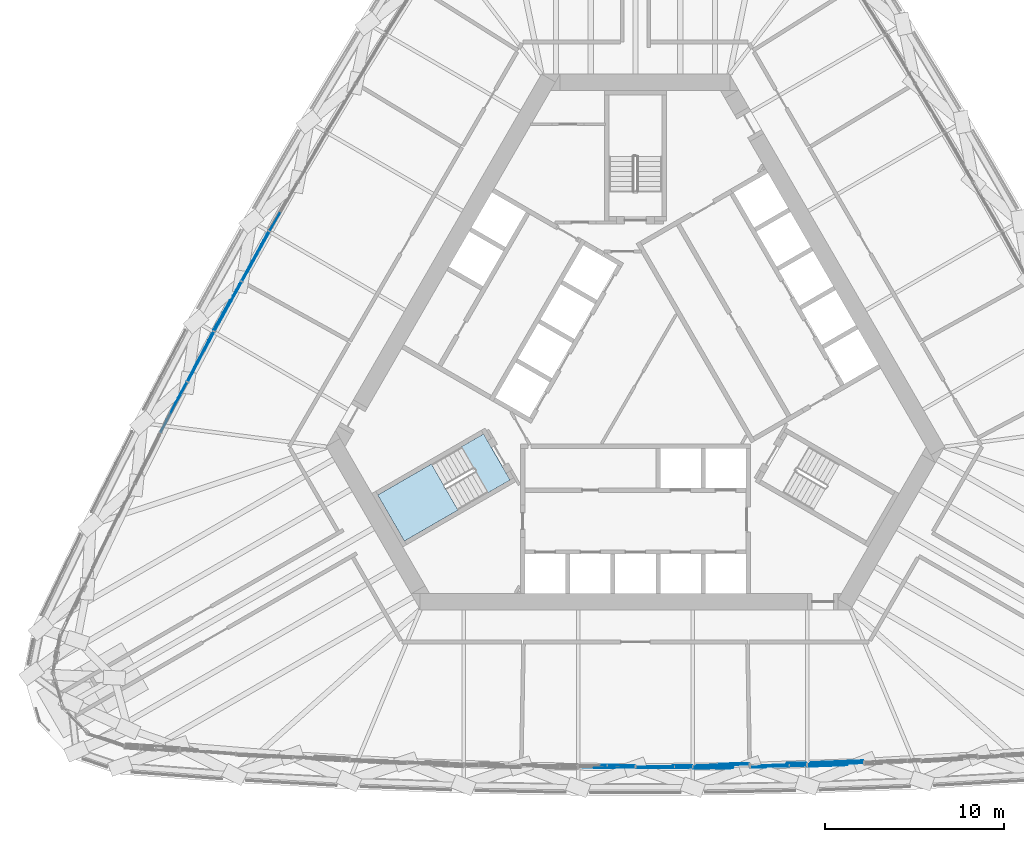
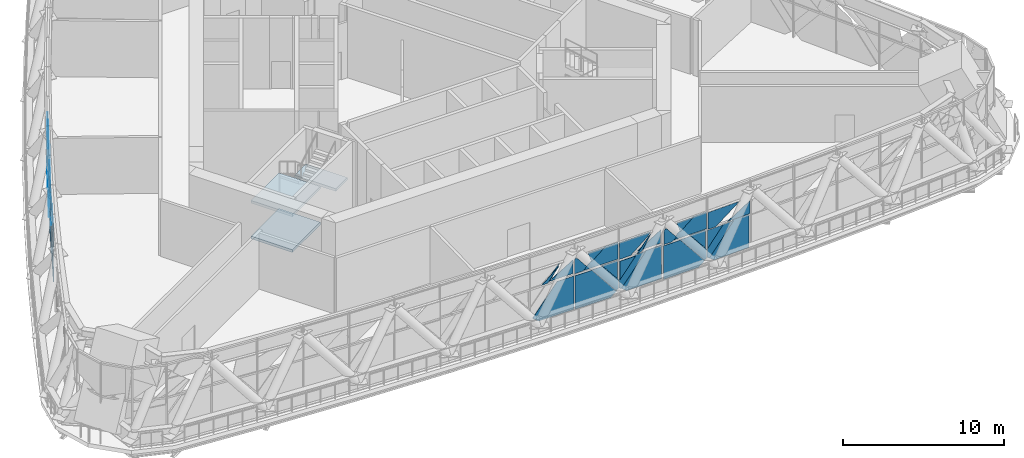
# One storey, part 14 of 43: 47 plates, 3 slabs, 3 elements without a shape of their own.
"""IFC4 building model written with IfcOpenShell, lengths in metres."""

from ifc_helpers import new_model, si_unit, direction, frame, origin, place, context, subcontext, project, spatial, polyline, outline, extrude, material, layer, layer_set, type_object, element, aggregate, save


model = new_model("IFC4")

# Units and contexts
model_context = context("Model", 3, precision=1e-05, world=origin(), true_north=direction((0.0, 1.0)))
body_context = subcontext(model_context, "Body", "Model", "MODEL_VIEW")
ifc_project = project(units=[si_unit("LENGTHUNIT", "METRE"), si_unit("AREAUNIT", "SQUARE_METRE"), si_unit("VOLUMEUNIT", "CUBIC_METRE"), si_unit("PLANEANGLEUNIT", "RADIAN"), si_unit("MASSUNIT", "GRAM", prefix="KILO")], contexts=[model_context])

# Site, building, storey
site_placement = place(None, origin())
site = spatial("IfcSite", under=ifc_project, at=site_placement, CompositionType="ELEMENT")
building_placement = place(site_placement, origin())
building = spatial("IfcBuilding", under=site, at=building_placement, Name="Mestral Congress Tower", CompositionType="ELEMENT")
storey_placement = place(building_placement, frame((0.0, 0.0, 78.300048828125)))
storey = spatial("IfcBuildingStorey", under=building, at=storey_placement, Name="L18", CompositionType="ELEMENT", Elevation=78.300048828125)

# Stair, slabs
ifc_material_1 = material(Name="Concrete C60/75", Category="concrete")
stair_type = type_object("IfcStairType", Name="Exit stair 1400", PredefinedType="HALF_TURN_STAIR", material=ifc_material_1)
placement = place(storey_placement, origin())
stair = element("IfcStair", 1, at=placement, inside=storey, type_object=stair_type, Name="L18 ST3", PredefinedType="HALF_TURN_STAIR")
ifc_layer_1 = layer(ifc_material_1, 0.199951171875)
ifc_layer_set_1 = layer_set([ifc_layer_1], Name="Concrete C60/75")
slab_type = type_object("IfcSlabType", Name="Exit stair landing 200", PredefinedType="LANDING", material=ifc_layer_set_1)
slab_1_placement = place(storey_placement, frame((0.0, 0.0, 1.14990234375)))
slab_1 = element("IfcSlab", 2, at=slab_1_placement, type_object=slab_type, Name="ST3 landing 1", PredefinedType="LANDING", context=body_context, shape_type="SweptSolid", body=[
    extrude(outline(polyline([(-11.39453125, -4.864013671875), (-9.90966796875, -7.43603515625), (-12.906005859375, -9.166015625), (-14.39111328125, -6.593994140625), (-11.39453125, -4.864013671875)])), origin(), (0.0, 0.0, 1.0), 0.199951171875),
])
slab_2_placement = place(storey_placement, frame((0.0, 0.0, 2.5)))
slab_2 = element("IfcSlab", 3, at=slab_2_placement, type_object=slab_type, Name="ST3 landing 2", PredefinedType="LANDING", context=body_context, shape_type="SweptSolid", body=[
    extrude(outline(polyline([(-8.48486328125, -3.18408203125), (-6.999755859375, -5.756103515625), (-8.2294921875, -6.466064453125), (-9.714599609375, -3.89404296875), (-8.48486328125, -3.18408203125)])), origin(), (0.0, 0.0, 1.0), 0.199951171875),
])
slab_3_placement = place(storey_placement, frame((0.0, 0.0, 3.849853515625)))
slab_3 = element("IfcSlab", 4, at=slab_3_placement, type_object=slab_type, Name="ST3 landing 3", PredefinedType="LANDING", context=body_context, shape_type="SweptSolid", body=[
    extrude(outline(polyline([(-11.39453125, -4.864013671875), (-9.90966796875, -7.43603515625), (-12.906005859375, -9.166015625), (-14.39111328125, -6.593994140625), (-11.39453125, -4.864013671875)])), origin(), (0.0, 0.0, 1.0), 0.2001953125),
])
aggregate(stair, [slab_1, slab_2, slab_3])

# Curtain wall, plates
ifc_material_2 = material(Name="Clear low-emissivity double glazing", Category="glass")
curtain_wall_type = type_object("IfcCurtainWallType", Name="Facade refuge band screen", PredefinedType="USERDEFINED", material=ifc_material_2)
curtain_wall_1 = element("IfcCurtainWall", 5, at=placement, inside=storey, type_object=curtain_wall_type, Name="Facade refuge band screen face 1", ObjectType="CURTAIN WALL", PredefinedType="USERDEFINED")
ifc_material_3 = material(Name="Anodised aluminium", Category="aluminium")
ifc_layer_2 = layer(ifc_material_3, 0.028076171875)
ifc_layer_set_2 = layer_set([ifc_layer_2], Name="Anodised aluminium")
plate_type_1 = type_object("IfcPlateType", Name="Facade refuge band screen brace cover panel", PredefinedType="CURTAIN_PANEL", material=ifc_layer_set_2)
plate_1_placement = place(storey_placement, frame((-0.030029296875, -21.715087890625, 2.659912109375), z_axis=(0.0, -0.999997752508, 0.002120136578), x_axis=(-1.0, 0.0, 0.0)))
plate_1 = element("IfcPlate", 6, at=plate_1_placement, type_object=plate_type_1, Name="Facade refuge band screen brace cover panel", PredefinedType="CURTAIN_PANEL", context=body_context, shape_type="SweptSolid", body=[
    extrude(outline(polyline([(0.0, 0.0), (1.73828125, 0.0), (0.0, -1.0363792823792286), (0.0, 0.0)])), origin(), (0.0, 0.0, -1.0), 0.028076171875),
])
plate_2_placement = place(storey_placement, frame((-2.364501953125, -21.84521484375, 2.659912109375), z_axis=(0.0, -0.999997590729, 0.002195116663), x_axis=(0.777322734817, 0.001380952352, 0.629100515742)))
plate_2 = element("IfcPlate", 7, at=plate_2_placement, type_object=plate_type_1, Name="Facade refuge band screen brace cover panel", PredefinedType="CURTAIN_PANEL", context=body_context, shape_type="SweptSolid", body=[
    extrude(outline(polyline([(0.0, 0.0), (1.591123417406616, 0.0), (0.33172854991705225, -0.26847420676801514), (0.0, 0.0)])), origin(), (0.0, 0.0, -1.0), 0.028076171875),
])
plate_3_placement = place(storey_placement, frame((-1.937744140625, -21.68310546875, 2.659912109375), z_axis=(-7.268202e-06, -0.999998129844, 0.001933973807), x_axis=(0.629077506876, 0.001498787939, 0.777341137454)))
plate_3 = element("IfcPlate", 8, at=plate_3_placement, type_object=plate_type_1, Name="Facade refuge band screen brace cover panel", PredefinedType="CURTAIN_PANEL", context=body_context, shape_type="SweptSolid", body=[
    extrude(outline(polyline([(0.0, 0.0), (1.287692827557895, 1.1102230246251565e-16), (1.5196045588721698, -0.04944501859453743), (0.3037785663471249, -0.20422559601899806), (0.10658686273723032, -0.13170794729764154), (0.0, 0.0)])), origin(), (0.0, 0.0, -1.0), 0.028076171875),
])
plate_4_placement = place(storey_placement, frame((3.1591796875, -21.8154296875, 0.481689453125), z_axis=(-8.2968574e-05, -0.999998061375, 0.001967323814), x_axis=(-0.776962828845, -0.001174058394, -0.629545378968)))
plate_4 = element("IfcPlate", 9, at=plate_4_placement, type_object=plate_type_1, Name="Facade refuge band screen brace cover panel", PredefinedType="CURTAIN_PANEL", context=body_context, shape_type="SweptSolid", body=[
    extrude(outline(polyline([(0.0, 0.0), (0.2020462440058834, 0.0), (0.20175890738728408, -2.812709064865925), (-0.41453802398901896, -2.3133446909878566), (-0.4143701689428667, -0.5114002360781752), (0.0, 0.0)])), origin(), (0.0, 0.0, -1.0), 0.028076171875),
])
plate_5_placement = place(storey_placement, frame((3.1591796875, -21.75244140625, 3.93798828125), z_axis=(0.0, -0.999997792399, 0.002101237004), x_axis=(0.0, -0.002101237004, -0.999997792399)))
plate_5 = element("IfcPlate", 10, at=plate_5_placement, type_object=plate_type_1, Name="Facade refuge band screen brace cover panel", PredefinedType="CURTAIN_PANEL", context=body_context, shape_type="SweptSolid", body=[
    extrude(outline(polyline([(0.0, 0.0), (1.2780789933633494, 0.0), (1.2780789933633494, -2.557861328125), (0.0, -0.978759765625), (0.0, 0.0)])), origin(), (0.0, 0.0, -1.0), 0.028076171875),
])
plate_6_placement = place(storey_placement, frame((2.180419921875, -21.81640625, 3.93798828125), z_axis=(0.0, -0.999997540253, 0.002217992009), x_axis=(-0.777276610131, -0.001395469677, -0.62915747155)))
plate_6 = element("IfcPlate", 11, at=plate_6_placement, type_object=plate_type_1, Name="Facade refuge band screen brace cover panel", PredefinedType="CURTAIN_PANEL", context=body_context, shape_type="SweptSolid", body=[
    extrude(outline(polyline([(0.0, 0.0), (1.224666077002306, 0.0), (0.9435105726494668, -0.7637154890322938), (0.0, 0.0)])), origin(), (0.0, 0.0, -1.0), 0.028076171875),
])
plate_7_placement = place(storey_placement, frame((0.030029296875, -21.784912109375, 3.73193359375), z_axis=(3.5148807e-05, -0.999997810631, 0.002092246862), x_axis=(0.858762966801, 0.001102195383, 0.512371888394)))
plate_7 = element("IfcPlate", 12, at=plate_7_placement, type_object=plate_type_1, Name="Facade refuge band screen brace cover panel", PredefinedType="CURTAIN_PANEL", context=body_context, shape_type="SweptSolid", body=[
    extrude(outline(polyline([(0.0, 0.0), (0.16915456245650998, 1.3877787807814457e-17), (0.3231277454352967, -1.1585378704725522), (-0.05867420395096101, -1.213327417066668), (-0.5492760941643777, -0.9206142847204407), (0.0, 0.0)])), origin(), (0.0, 0.0, -1.0), 0.028076171875),
])
plate_8_placement = place(storey_placement, frame((5.158203125, -21.740966796875, 2.5400390625), z_axis=(0.018415173147, -0.999828260858, 0.002080910051), x_axis=(-0.631809962067, -0.013249891622, -0.775010072325)))
plate_8 = element("IfcPlate", 13, at=plate_8_placement, type_object=plate_type_1, Name="Facade refuge band screen brace cover panel", PredefinedType="CURTAIN_PANEL", context=body_context, shape_type="SweptSolid", body=[
    extrude(outline(polyline([(0.0, 0.0), (2.821598826719895, 0.0), (2.821467053508189, -0.2011169947654754), (2.312433900672551, -0.6164642554300789), (0.5025879003779236, -0.616367562021225), (0.0, 0.0)])), origin(), (0.0, 0.0, -1.0), 0.028076171875),
])
plate_9_placement = place(storey_placement, frame((6.34619140625, -21.5908203125, 2.659912109375), z_axis=(0.018358445073, -0.99982916245, 0.002147884923), x_axis=(-0.999831468768, -0.018358487421, 0.0)))
plate_9 = element("IfcPlate", 14, at=plate_9_placement, type_object=plate_type_1, Name="Facade refuge band screen brace cover panel", PredefinedType="CURTAIN_PANEL", context=body_context, shape_type="SweptSolid", body=[
    extrude(outline(polyline([(0.0, 0.0), (1.7288069829700032, 0.0), (0.0002037610063428757, -1.024904707905358), (0.0, 0.0)])), origin(), (0.0, 0.0, -1.0), 0.028076171875),
])
plate_10_placement = place(storey_placement, frame((3.220703125, -21.82861328125, 2.659912109375), z_axis=(0.018452701633, -0.999827463108, 0.002131153983), x_axis=(-0.000191515151, 0.002127982302, 0.999997717504)))
plate_10 = element("IfcPlate", 15, at=plate_10_placement, type_object=plate_type_1, Name="Facade refuge band screen brace cover panel", PredefinedType="CURTAIN_PANEL", context=body_context, shape_type="SweptSolid", body=[
    extrude(outline(polyline([(0.0, 0.0), (1.278079016224138, 0.0), (1.2777332109123862, -2.2726047595323804), (0.9982260667346473, -2.0447276909987906), (-0.00012255897549340872, -0.8055575855522964), (0.0, 0.0)])), origin(), (0.0, 0.0, -1.0), 0.028076171875),
])
plate_11_placement = place(storey_placement, frame((4.622314453125, -21.876708984375, 2.659912109375), z_axis=(0.018582153615, -0.999825390236, 0.001972968698), x_axis=(-0.999827336297, -0.018582184649, 2.601923e-06)))
plate_11 = element("IfcPlate", 16, at=plate_11_placement, type_object=plate_type_1, Name="Facade refuge band screen brace cover panel", PredefinedType="CURTAIN_PANEL", context=body_context, shape_type="SweptSolid", body=[
    extrude(outline(polyline([(0.0, 0.0), (0.16970287718316746, -1.6940658945086007e-21), (-0.6441877577660237, -0.9985387280988298), (-0.8307511847925088, -1.148930413059387), (-0.18143293364018676, -0.1076668517574581), (0.0, 0.0)])), origin(), (0.0, 0.0, -1.0), 0.028076171875),
])
plate_12_placement = place(storey_placement, frame((9.537841796875, -21.697998046875, 0.480712890625), z_axis=(0.018595276447, -0.999824932354, 0.002078541885), x_axis=(-0.778525210371, -0.015783762739, -0.627414830595)))
plate_12 = element("IfcPlate", 17, at=plate_12_placement, type_object=plate_type_1, Name="Facade refuge band screen brace cover panel", PredefinedType="CURTAIN_PANEL", context=body_context, shape_type="SweptSolid", body=[
    extrude(outline(polyline([(0.0, 0.0), (0.2019540335628299, 0.0), (0.20030185193345496, -2.8060197437169494), (-0.4161389541086974, -2.3093297743751755), (-0.41513015374205914, -0.5151804473459589), (0.0, 0.0)])), origin(), (0.0, 0.0, -1.0), 0.028076171875),
])
plate_13_placement = place(storey_placement, frame((9.537109375, -21.656982421875, 3.93798828125), z_axis=(0.018532070954, -0.999826128809, 0.002067485538), x_axis=(-6.18799e-07, -0.002067852125, -0.999997861991)))
plate_13 = element("IfcPlate", 18, at=plate_13_placement, type_object=plate_type_1, Name="Facade refuge band screen brace cover panel", PredefinedType="CURTAIN_PANEL", context=body_context, shape_type="SweptSolid", body=[
    extrude(outline(polyline([(0.0, 0.0), (1.27807899265086, 0.0), (1.278178002557776, -2.54486984240699), (3.744737907009933e-05, -0.9593940666465511), (0.0, 0.0)])), origin(), (0.0, 0.0, -1.0), 0.028076171875),
])
plate_14_placement = place(storey_placement, frame((8.5791015625, -21.73681640625, 3.93798828125), z_axis=(0.018478121423, -0.999827048304, 0.002105352169), x_axis=(-0.778439220525, -0.015707968945, -0.627523417619)))
plate_14 = element("IfcPlate", 19, at=plate_14_placement, type_object=plate_type_1, Name="Facade refuge band screen brace cover panel", PredefinedType="CURTAIN_PANEL", context=body_context, shape_type="SweptSolid", body=[
    extrude(outline(polyline([(0.0, 0.0), (1.2278550741960814, 0.0), (0.9464149347941857, -0.7627812340993629), (0.0, 0.0)])), origin(), (0.0, 0.0, -1.0), 0.028076171875),
])
plate_15_placement = place(storey_placement, frame((6.99462890625, -21.818603515625, 2.659912109375), z_axis=(0.018325402337, -0.999830471229, 0.001791209446), x_axis=(-0.999832075148, -0.018325433263, -8.52926e-07)))
plate_15 = element("IfcPlate", 20, at=plate_15_placement, type_object=plate_type_1, Name="Facade refuge band screen brace cover panel", PredefinedType="CURTAIN_PANEL", context=body_context, shape_type="SweptSolid", body=[
    extrude(outline(polyline([(0.0, 0.0), (0.5843317383609097, -3.3881317890172014e-21), (0.5842905679487073, -1.060549108720053), (0.41385077981466795, -1.1616231103287407), (-0.3167092845358678, -0.2553709508387514), (0.0, 0.0)])), origin(), (0.0, 0.0, -1.0), 0.028076171875),
])
plate_16_placement = place(storey_placement, frame((11.547119140625, -21.586181640625, 2.5400390625), z_axis=(0.036980553699, -0.999314060584, 0.001961368854), x_axis=(-0.633955270069, -0.024977221735, -0.772966269604)))
plate_16 = element("IfcPlate", 21, at=plate_16_placement, type_object=plate_type_1, Name="Facade refuge band screen brace cover panel", PredefinedType="CURTAIN_PANEL", context=body_context, shape_type="SweptSolid", body=[
    extrude(outline(polyline([(0.0, 0.0), (2.8328498127472113, 2.220446049250313e-16), (2.8327386778269332, -0.19919656437999422), (2.323373236476594, -0.6172209499678047), (0.5065400552771898, -0.6171360948277619), (0.0, 0.0)])), origin(), (0.0, 0.0, -1.0), 0.028076171875),
])
plate_17_placement = place(storey_placement, frame((11.0908203125, -21.6328125, 2.659912109375), z_axis=(0.036862527206, -0.999317741577, 0.002281547355), x_axis=(0.861288183872, 0.032928580506, 0.507048688893)))
plate_17 = element("IfcPlate", 22, at=plate_17_placement, type_object=plate_type_1, Name="Facade refuge band screen brace cover panel", PredefinedType="CURTAIN_PANEL", context=body_context, shape_type="SweptSolid", body=[
    extrude(outline(polyline([(0.0, 0.0), (1.8980471990804482, -1.1102230246251565e-16), (1.4099899996568248, -0.8294716808441923), (0.0, 0.0)])), origin(), (0.0, 0.0, -1.0), 0.028076171875),
])
plate_18_placement = place(storey_placement, frame((11.852294921875, -21.68798828125, 3.93798828125), z_axis=(0.037022592869, -0.999312462936, 0.001982180215), x_axis=(-0.655111914611, -0.025768387421, -0.755092292071)))
plate_18 = element("IfcPlate", 23, at=plate_18_placement, type_object=plate_type_1, Name="Facade refuge band screen brace cover panel", PredefinedType="CURTAIN_PANEL", context=body_context, shape_type="SweptSolid", body=[
    extrude(outline(polyline([(0.0, 0.0), (0.14646681761446304, 0.0), (2.074485700445923, -0.43981872663198485), (2.441601623595076, -0.8626372180933299), (1.4766331858632118, -1.7006829377328372), (0.0, 0.0)])), origin(), (0.0, 0.0, -1.0), 0.028076171875),
])

curtain_wall_2 = element("IfcCurtainWall", 24, at=placement, inside=storey, type_object=curtain_wall_type, Name="Facade refuge band screen face 3", ObjectType="CURTAIN WALL", PredefinedType="USERDEFINED")
plate_19_placement = place(storey_placement, frame((-21.4072265625, 6.4033203125, 2.5400390625), z_axis=(-0.875132646431, 0.483879050524, 0.001978790923), x_axis=(0.304433515756, 0.553760959884, -0.775028408378)))
plate_19 = element("IfcPlate", 25, at=plate_19_placement, type_object=plate_type_1, Name="Facade refuge band screen brace cover panel", PredefinedType="CURTAIN_PANEL", context=body_context, shape_type="SweptSolid", body=[
    extrude(outline(polyline([(0.0, 0.0), (2.821532398810577, 0.0), (2.821430642153993, -0.2011613211105321), (2.312351833246238, -0.6164520596156323), (0.5025780560206053, -0.6163914426404768), (0.0, 0.0)])), origin(), (0.0, 0.0, -1.0), 0.028076171875),
])
plate_20_placement = place(storey_placement, frame((-21.95849609375, 5.347900390625, 2.659912109375), z_axis=(-0.875126605493, 0.483890211495, 0.001920306595), x_axis=(0.483891103688, 0.875128219046, 0.0)))
plate_20 = element("IfcPlate", 26, at=plate_20_placement, type_object=plate_type_1, Name="Facade refuge band screen brace cover panel", PredefinedType="CURTAIN_PANEL", context=body_context, shape_type="SweptSolid", body=[
    extrude(outline(polyline([(0.0, 0.0), (1.7285413492303692, 0.0), (-2.765506600761812e-05, -1.0249042334585952), (0.0, 0.0)])), origin(), (0.0, 0.0, -1.0), 0.028076171875),
])
plate_21_placement = place(storey_placement, frame((-20.4951171875, 8.114501953125, 2.659912109375), z_axis=(-0.875108685195, 0.483922118466, 0.002042634659), x_axis=(0.001785659672, -0.000991862309, 0.999997913812)))
plate_21 = element("IfcPlate", 27, at=plate_21_placement, type_object=plate_type_1, Name="Facade refuge band screen brace cover panel", PredefinedType="CURTAIN_PANEL", context=body_context, shape_type="SweptSolid", body=[
    extrude(outline(polyline([(0.0, 0.0), (1.2780786399060822, -1.6178329292557136e-19), (1.2780876973299333, -2.2725195287499056), (0.9985449254815109, -2.0447076502171995), (3.1249640623442435e-06, -0.8056993141366651), (0.0, 0.0)])), origin(), (0.0, 0.0, -1.0), 0.028076171875),
])
plate_22_placement = place(storey_placement, frame((-23.5791015625, 2.599609375, 0.480712890625), z_axis=(-0.875140710107, 0.483864315509, 0.002015363729), x_axis=(0.375745764665, 0.682204684967, -0.627225548065)))
plate_22 = element("IfcPlate", 28, at=plate_22_placement, type_object=plate_type_1, Name="Facade refuge band screen brace cover panel", PredefinedType="CURTAIN_PANEL", context=body_context, shape_type="SweptSolid", body=[
    extrude(outline(polyline([(0.0, 0.0), (0.20201584313921372, -2.7755575615628914e-17), (0.20101553979099807, -2.8059960158167936), (-0.41585456546912936, -2.309206839617457), (-0.4149518216716784, -0.5153237726569009), (0.0, 0.0)])), origin(), (0.0, 0.0, -1.0), 0.028076171875),
])
plate_23_placement = place(storey_placement, frame((-23.524169921875, 2.569091796875, 3.93798828125), z_axis=(-0.875156086637, 0.483836890757, 0.001920199163), x_axis=(-0.001678513227, 0.000932617095, -0.999998156408)))
plate_23 = element("IfcPlate", 29, at=plate_23_placement, type_object=plate_type_1, Name="Facade refuge band screen brace cover panel", PredefinedType="CURTAIN_PANEL", context=body_context, shape_type="SweptSolid", body=[
    extrude(outline(polyline([(0.0, 0.0), (1.2780786422115653, -1.1011428314305904e-20), (1.2780888582862395, -2.545054070752599), (4.007945707643914e-06, -0.9593366590571308), (0.0, 0.0)])), origin(), (0.0, 0.0, -1.0), 0.028076171875),
])
plate_24_placement = place(storey_placement, frame((-22.3212890625, 4.81201171875, 2.659912109375), z_axis=(-0.87508614454, 0.483963171079, 0.001971971827), x_axis=(0.483964112527, 0.875087845754, 2.6521e-07)))
plate_24 = element("IfcPlate", 30, at=plate_24_placement, type_object=plate_type_1, Name="Facade refuge band screen brace cover panel", PredefinedType="CURTAIN_PANEL", context=body_context, shape_type="SweptSolid", body=[
    extrude(outline(polyline([(0.0, 0.0), (0.5845272078302812, 0.0), (0.5844999982295656, -1.0605486940474649), (0.4139312585503487, -1.161623378442405), (-0.3166652953634799, -0.25537163360569193), (0.0, 0.0)])), origin(), (0.0, 0.0, -1.0), 0.028076171875),
])
plate_25_placement = place(storey_placement, frame((-24.4677734375, 0.79296875, 2.5400390625), z_axis=(-0.88386439232, 0.467738619372, 0.002078445869), x_axis=(0.295347832893, 0.561540023151, -0.772944021262)))
plate_25 = element("IfcPlate", 31, at=plate_25_placement, type_object=plate_type_1, Name="Facade refuge band screen brace cover panel", PredefinedType="CURTAIN_PANEL", context=body_context, shape_type="SweptSolid", body=[
    extrude(outline(polyline([(0.0, 0.0), (2.832931333221903, -2.220446049250313e-16), (2.8329379622295923, -0.19894701244898738), (2.3233061052602793, -0.6170315659589084), (0.5066636697400194, -0.617243036750652), (0.0, 0.0)])), origin(), (0.0, 0.0, -1.0), 0.028076171875),
])
plate_26_placement = place(storey_placement, frame((-24.991943359375, -0.2626953125, 2.659912109375), z_axis=(-0.883924158669, 0.467626318918, 0.001925506866), x_axis=(0.4676271858, 0.883925797282, 0.0)))
plate_26 = element("IfcPlate", 32, at=plate_26_placement, type_object=plate_type_1, Name="Facade refuge band screen brace cover panel", PredefinedType="CURTAIN_PANEL", context=body_context, shape_type="SweptSolid", body=[
    extrude(outline(polyline([(0.0, 0.0), (1.6362109432119825, 0.0), (0.00015176096405199679, -0.9624041278452103), (0.0, 0.0)])), origin(), (0.0, 0.0, -1.0), 0.028076171875),
])
plate_27_placement = place(storey_placement, frame((-23.579345703125, 2.5302734375, 3.93798828125), z_axis=(-0.883923921438, 0.467626720873, 0.001936759242), x_axis=(-0.467627597997, -0.883925579216, -4.6087e-08)))
plate_27 = element("IfcPlate", 33, at=plate_27_placement, type_object=plate_type_1, Name="Facade refuge band screen brace cover panel", PredefinedType="CURTAIN_PANEL", context=body_context, shape_type="SweptSolid", body=[
    extrude(outline(polyline([(0.0, 0.0), (2.2521666578815167, 0.0), (2.155845006452287, -0.11083990496817218), (0.5600963742802416, -1.2780786650658822), (-5.144976759194053e-05, -1.2780786420001242), (0.0, 0.0)])), origin(), (0.0, 0.0, -1.0), 0.028076171875),
])
plate_28_placement = place(storey_placement, frame((-26.510009765625, -3.067626953125, 2.659912109375), z_axis=(-0.883908215953, 0.467656064486, 0.002017701493), x_axis=(0.467657016329, 0.883910015261, -5.703e-08)))
plate_28 = element("IfcPlate", 34, at=plate_28_placement, type_object=plate_type_1, Name="Facade refuge band screen brace cover panel", PredefinedType="CURTAIN_PANEL", context=body_context, shape_type="SweptSolid", body=[
    extrude(outline(polyline([(0.0, 0.0), (2.3253375901390614, 0.0), (0.7380038199174782, -1.2780788155720426), (-5.149792088166805e-05, -1.2780786408649034), (0.0, 0.0)])), origin(), (0.0, 0.0, -1.0), 0.028076171875),
])
plate_29_placement = place(storey_placement, frame((-26.18896484375, -2.40234375, 3.93798828125), z_axis=(-0.883937469474, 0.467600429382, 0.002094875043), x_axis=(0.363062246652, 0.689131251288, -0.627123531335)))
plate_29 = element("IfcPlate", 35, at=plate_29_placement, type_object=plate_type_1, Name="Facade refuge band screen brace cover panel", PredefinedType="CURTAIN_PANEL", context=body_context, shape_type="SweptSolid", body=[
    extrude(outline(polyline([(0.0, 0.0), (1.3859161418314145, -1.1102230246251565e-16), (1.0683570107055507, -0.86015817347796), (0.0, 0.0)])), origin(), (0.0, 0.0, -1.0), 0.028076171875),
])
plate_30_placement = place(storey_placement, frame((-25.0712890625, -0.28857421875, 3.657470703125), z_axis=(-0.883826241412, 0.467811758505, 0.001825813751), x_axis=(-0.402310671389, -0.762056681515, 0.507361545492)))
plate_30 = element("IfcPlate", 36, at=plate_30_placement, type_object=plate_type_1, Name="Facade refuge band screen brace cover panel", PredefinedType="CURTAIN_PANEL", context=body_context, shape_type="SweptSolid", body=[
    extrude(outline(polyline([(0.0, 0.0), (0.2511845173364418, 0.0), (0.42767923542873165, -1.2320716495055697), (0.18666848313541407, -1.2675260662936196), (-0.5061795231708234, -0.8595983313684918), (0.0, 0.0)])), origin(), (0.0, 0.0, -1.0), 0.028076171875),
])

# Plate
ifc_layer_3 = layer(ifc_material_2, 0.028076171875)
ifc_layer_set_3 = layer_set([ifc_layer_3], Name="Clear low-emissivity double glazing")
plate_type_2 = type_object("IfcPlateType", Name="Facade refuge band screen panel", PredefinedType="CURTAIN_PANEL", material=ifc_layer_set_3)
plate_31_placement = place(storey_placement, frame((-0.030029296875, -21.811279296875, 2.5400390625), z_axis=(-3.875237e-06, -0.999997958813, 0.002020484038), x_axis=(-8e-12, -0.002020484038, -0.99999795882)))
plate_31 = element("IfcPlate", 37, at=plate_31_placement, type_object=plate_type_2, Name="Refuge screen glass unit", PredefinedType="CURTAIN_PANEL", context=body_context, shape_type="SweptSolid", body=[
    extrude(outline(polyline([(0.0, 0.0), (2.540044236750128, 0.0), (2.540044236770104, -2.5346679687309677), (2.1855512930091923, -2.972167968793157), (9.470428615841618e-12, -1.201660156240977), (0.0, 0.0)])), origin(), (0.0, 0.0, -1.0), 0.028076171875),
])

plate_32_placement = place(storey_placement, frame((3.1591796875, -21.709228515625, 2.5400390625), z_axis=(0.0, -0.999997810907, 0.002092410415), x_axis=(0.0, -0.002092410415, -0.999997810907)))
plate_32 = element("IfcPlate", 38, at=plate_32_placement, type_object=plate_type_2, Name="Refuge screen glass unit", PredefinedType="CURTAIN_PANEL", context=body_context, shape_type="SweptSolid", body=[
    extrude(outline(polyline([(0.0, 0.0), (1.400149549432674, 0.0), (0.0, -1.13427734375), (0.0, 0.0)])), origin(), (0.0, 0.0, -1.0), 0.028076171875),
])

plate_33_placement = place(storey_placement, frame((2.564697265625, -21.850341796875, 0.0), z_axis=(3.875237e-06, -0.999997958813, 0.002020484038), x_axis=(-0.999999999992, -3.875229e-06, 7.83e-09)))
plate_33 = element("IfcPlate", 39, at=plate_33_placement, type_object=plate_type_2, Name="Refuge screen glass unit", PredefinedType="CURTAIN_PANEL", context=body_context, shape_type="SweptSolid", body=[
    extrude(outline(polyline([(0.0, 0.0), (2.5346679687309677, 0.0), (2.5346679687509863, -2.5400442367501275), (1.333007812510009, -2.5400442367501275), (-0.4375000000593952, -0.35449294376435936), (0.0, 0.0)])), origin(), (0.0, 0.0, -1.0), 0.028076171875),
])

plate_34_placement = place(storey_placement, frame((6.34716796875, -21.65087890625, 2.5400390625), z_axis=(0.018464492372, -0.999827491771, 0.002012267495), x_axis=(-1.07809e-07, -0.002012612602, -0.999997974693)))
plate_34 = element("IfcPlate", 40, at=plate_34_placement, type_object=plate_type_2, Name="Refuge screen glass unit", PredefinedType="CURTAIN_PANEL", context=body_context, shape_type="SweptSolid", body=[
    extrude(outline(polyline([(0.0, 0.0), (2.5400442367120846, -1.3552527156068805e-20), (2.540138851714898, -2.539983351641347), (2.1868828703570955, -2.973407486171325), (4.435075789327499e-05, -1.1903883532664683), (0.0, 0.0)])), origin(), (0.0, 0.0, -1.0), 0.028076171875),
])

plate_35_placement = place(storey_placement, frame((3.221435546875, -21.878662109375, 2.5400390625), z_axis=(0.018357241824, -0.999829310528, 0.002088416314), x_axis=(0.999831490904, 0.018357281857, 0.0)))
plate_35 = element("IfcPlate", 41, at=plate_35_placement, type_object=plate_type_2, Name="Refuge screen glass unit", PredefinedType="CURTAIN_PANEL", context=body_context, shape_type="SweptSolid", body=[
    extrude(outline(polyline([(0.0, 0.0), (1.1437474193439658, -6.776263578034403e-21), (-5.378109919013883e-05, -1.402590949316417), (0.0, 0.0)])), origin(), (0.0, 0.0, -1.0), 0.028076171875),
])

plate_36_placement = place(storey_placement, frame((9.53515625, -21.555908203125, 2.5400390625), z_axis=(0.018451014475, -0.99982791378, 0.001924289619), x_axis=(0.000174672164, -0.001921393804, -0.999998138866)))
plate_36 = element("IfcPlate", 42, at=plate_36_placement, type_object=plate_type_2, Name="Refuge screen glass unit", PredefinedType="CURTAIN_PANEL", context=body_context, shape_type="SweptSolid", body=[
    extrude(outline(polyline([(0.0, 0.0), (1.3977076794462693, 0.0), (-0.00015654822119682744, -1.1247031718001135), (0.0, 0.0)])), origin(), (0.0, 0.0, -1.0), 0.028076171875),
])

plate_37_placement = place(storey_placement, frame((8.94140625, -21.744140625, 0.0), z_axis=(0.018555175515, -0.999825751384, 0.002042628502), x_axis=(-0.999827837196, -0.01855521405, 8.5101e-08)))
plate_37 = element("IfcPlate", 43, at=plate_37_placement, type_object=plate_type_2, Name="Refuge screen glass unit", PredefinedType="CURTAIN_PANEL", context=body_context, shape_type="SweptSolid", body=[
    extrude(outline(polyline([(0.0, 0.0), (2.5319280871534273, 0.0), (2.532077270192787, -2.5400442434505623), (1.3192227909340126, -2.5400442571069695), (-0.4397891490023154, -0.3540049883202943), (0.0, 0.0)])), origin(), (0.0, 0.0, -1.0), 0.028076171875),
])

plate_38_placement = place(storey_placement, frame((12.720703125, -21.436767578125, 2.5400390625), z_axis=(0.036902602691, -0.999316848512, 0.002008530412), x_axis=(9.5670454e-05, -0.002006366524, -0.999997982668)))
plate_38 = element("IfcPlate", 44, at=plate_38_placement, type_object=plate_type_2, Name="Refuge screen glass unit", PredefinedType="CURTAIN_PANEL", context=body_context, shape_type="SweptSolid", body=[
    extrude(outline(polyline([(0.0, 0.0), (2.5400442483026744, -6.098637220230962e-20), (2.5399891743135243, -2.548608867183056), (2.1896376258864714, -2.97562702989044), (-2.546029202565415e-05, -1.1782918841843808), (0.0, 0.0)])), origin(), (0.0, 0.0, -1.0), 0.028076171875),
])

plate_39_placement = place(storey_placement, frame((9.598388671875, -21.688232421875, 2.5400390625), z_axis=(0.036847098643, -0.999318727003, 0.002091215546), x_axis=(0.999320912112, 0.036847179213, 0.0)))
plate_39 = element("IfcPlate", 45, at=plate_39_placement, type_object=plate_type_2, Name="Refuge screen glass unit", PredefinedType="CURTAIN_PANEL", context=body_context, shape_type="SweptSolid", body=[
    extrude(outline(polyline([(0.0, 0.0), (1.1528825179294062, -1.3552527156068805e-20), (0.00013602411170715245, -1.4042999456333036), (0.0, 0.0)])), origin(), (0.0, 0.0, -1.0), 0.028076171875),
])

aggregate(curtain_wall_1, [plate_31, plate_1, plate_2, plate_3, plate_32, plate_33, plate_4, plate_5, plate_6, plate_7, plate_34, plate_35, plate_8, plate_9, plate_10, plate_11, plate_36, plate_37, plate_12, plate_13, plate_14, plate_15, plate_38, plate_39, plate_16, plate_17, plate_18])

plate_40_placement = place(storey_placement, frame((-20.441162109375, 8.153564453125, 2.5400390625), z_axis=(-0.865954416026, 0.500118802893, 0.002032820254), x_axis=(-0.001743371571, 0.001046022943, -0.999997933244)))
plate_40 = element("IfcPlate", 46, at=plate_40_placement, type_object=plate_type_2, Name="Refuge screen glass unit", PredefinedType="CURTAIN_PANEL", context=body_context, shape_type="SweptSolid", body=[
    extrude(outline(polyline([(0.0, 0.0), (1.400393519272201, 2.0328790734103208e-20), (3.8476755380127984e-05, -1.134493717443365), (0.0, 0.0)])), origin(), (0.0, 0.0, -1.0), 0.028076171875),
])

plate_41_placement = place(storey_placement, frame((-22.009521484375, 5.376220703125, 2.5400390625), z_axis=(-0.875133498398, 0.48387739107, 0.002007583808), x_axis=(-0.001754975313, 0.000974920685, -0.999997984794)))
plate_41 = element("IfcPlate", 47, at=plate_41_placement, type_object=plate_type_2, Name="Refuge screen glass unit", PredefinedType="CURTAIN_PANEL", context=body_context, shape_type="SweptSolid", body=[
    extrude(outline(polyline([(0.0, 0.0), (2.540044036268395, 4.2182240773264157e-19), (2.540054316325727, -2.5400269178466983), (2.186783804666102, -2.97312258246951), (4.644746217284841e-06, -1.190135764976743), (0.0, 0.0)])), origin(), (0.0, 0.0, -1.0), 0.028076171875),
])

plate_42_placement = place(storey_placement, frame((-20.442626953125, 8.085693359375, 2.5400390625), z_axis=(-0.875080213798, 0.483973370256, 0.002096736154), x_axis=(-0.483974434106, -0.875082137363, 0.0)))
plate_42 = element("IfcPlate", 48, at=plate_42_placement, type_object=plate_type_2, Name="Refuge screen glass unit", PredefinedType="CURTAIN_PANEL", context=body_context, shape_type="SweptSolid", body=[
    extrude(outline(polyline([(0.0, 0.0), (1.143586846476854, 0.0), (0.00023152052938346207, -1.4025909737354896), (0.0, 0.0)])), origin(), (0.0, 0.0, -1.0), 0.028076171875),
])

plate_43_placement = place(storey_placement, frame((-23.530029296875, 2.572509765625, 2.5400390625), z_axis=(-0.875116221877, 0.48390822589, 0.002104073287), x_axis=(-0.0019213931, 0.0008733605, -0.999997772743)))
plate_43 = element("IfcPlate", 49, at=plate_43_placement, type_object=plate_type_2, Name="Refuge screen glass unit", PredefinedType="CURTAIN_PANEL", context=body_context, shape_type="SweptSolid", body=[
    extrude(outline(polyline([(0.0, 0.0), (1.3977081911810312, -2.710505431213761e-19), (-0.00018610084096310116, -1.1245691062060792), (0.0, 0.0)])), origin(), (0.0, 0.0, -1.0), 0.028076171875),
])

plate_44_placement = place(storey_placement, frame((-23.21923828125, 3.083251953125, 0.0), z_axis=(-0.875108343679, 0.483922861553, 0.002012682264), x_axis=(0.48392384191, 0.87511011606, 1.10394e-07)))
plate_44 = element("IfcPlate", 50, at=plate_44_placement, type_object=plate_type_2, Name="Refuge screen glass unit", PredefinedType="CURTAIN_PANEL", context=body_context, shape_type="SweptSolid", body=[
    extrude(outline(polyline([(0.0, 0.0), (2.5318452309065957, 0.0), (2.531835630449865, -2.5400440358491543), (1.3190776737931953, -2.540044097114755), (-0.44002161421098784, -0.3540050289076326), (0.0, 0.0)])), origin(), (0.0, 0.0, -1.0), 0.028076171875),
])

plate_45_placement = place(storey_placement, frame((-25.045166015625, -0.234619140625, 2.5400390625), z_axis=(-0.883921800686, 0.467630316754, 0.002033992225), x_axis=(-0.001799950486, 0.000947270796, -0.999997931426)))
plate_45 = element("IfcPlate", 51, at=plate_45_placement, type_object=plate_type_2, Name="Refuge screen glass unit", PredefinedType="CURTAIN_PANEL", context=body_context, shape_type="SweptSolid", body=[
    extrude(outline(polyline([(0.0, 0.0), (2.5400444702937843, 3.3542504711270293e-19), (2.540033022384953, -2.548569154012663), (2.189688916522051, -2.9755987801460524), (-5.232184960914403e-06, -1.1782866235416458), (0.0, 0.0)])), origin(), (0.0, 0.0, -1.0), 0.028076171875),
])

plate_46_placement = place(storey_placement, frame((-23.52880859375, 2.503662109375, 2.5400390625), z_axis=(-0.883940736603, 0.467594908102, 0.001943216604), x_axis=(-0.467595790945, -0.883942405528, 0.0)))
plate_46 = element("IfcPlate", 52, at=plate_46_placement, type_object=plate_type_2, Name="Refuge screen glass unit", PredefinedType="CURTAIN_PANEL", context=body_context, shape_type="SweptSolid", body=[
    extrude(outline(polyline([(0.0, 0.0), (1.1528386491894969, 0.0), (6.256002973957183e-05, -1.404299526383743), (0.0, 0.0)])), origin(), (0.0, 0.0, -1.0), 0.028076171875),
])

plate_47_placement = place(storey_placement, frame((-25.046875, -0.301513671875, 2.5400390625), z_axis=(-0.883937721774, 0.467600280706, 0.002020274408), x_axis=(-0.46760123434, -0.883939526011, 3.5097e-07)))
plate_47 = element("IfcPlate", 53, at=plate_47_placement, type_object=plate_type_2, Name="Refuge screen glass unit", PredefinedType="CURTAIN_PANEL", context=body_context, shape_type="SweptSolid", body=[
    extrude(outline(polyline([(0.0, 0.0), (1.223712336867905, 0.0), (3.1293522867082286, -2.3840391266711807), (3.1292505868640625, -2.5400453342624143), (0.0001117468234406587, -2.5400438024130754), (0.0, 0.0)])), origin(), (0.0, 0.0, -1.0), 0.028076171875),
])

aggregate(curtain_wall_2, [plate_40, plate_41, plate_42, plate_19, plate_20, plate_21, plate_43, plate_44, plate_22, plate_23, plate_24, plate_45, plate_46, plate_25, plate_26, plate_27, plate_47, plate_28, plate_29, plate_30])

save(model, "model.ifc")
